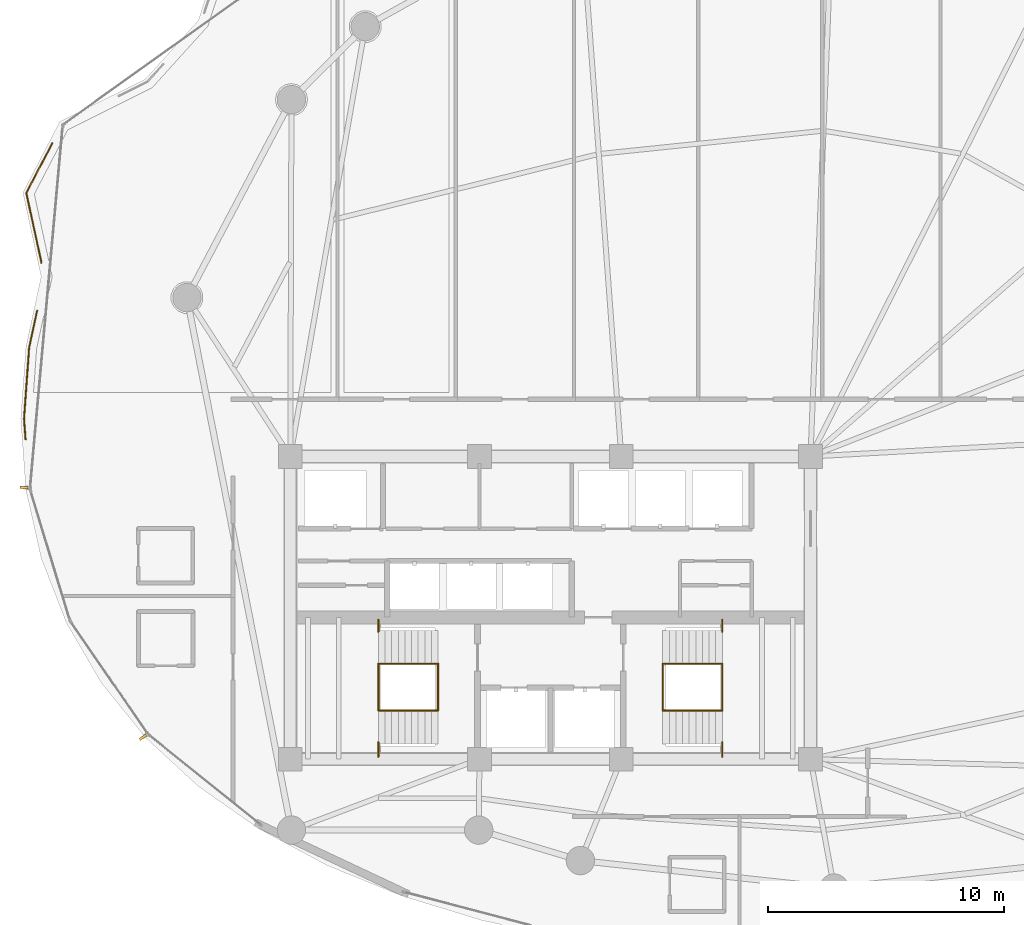
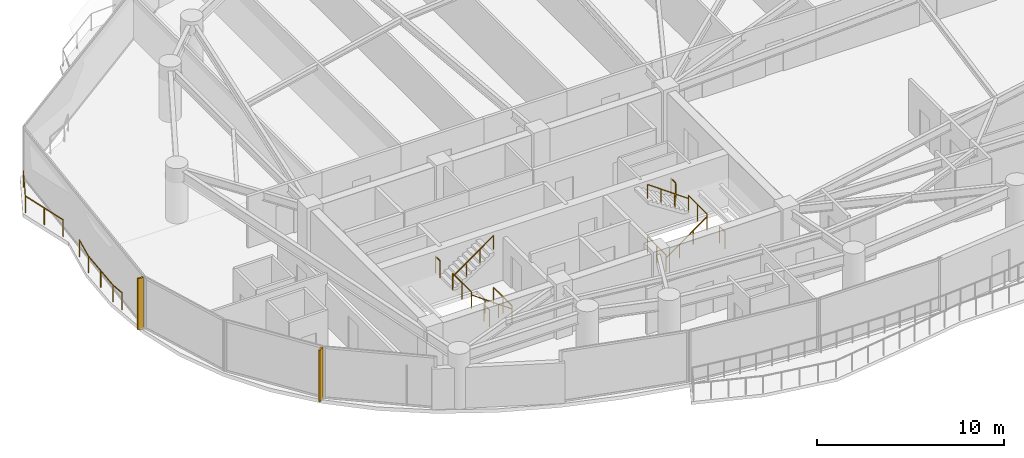
# One storey, part 31 of 33: 14 railings, 2 shading devices.
"""IFC4 building model written with IfcOpenShell, lengths in metres."""

from ifc_helpers import new_model, si_unit, direction, frame, origin, origin_2d, place, context, subcontext, project, spatial, rectangle, extrude, material, type_object, element, save


model = new_model("IFC4")

# Units and contexts
model_context = context("Model", 3, precision=1e-05, world=origin(), true_north=direction((0.0, 1.0)))
body_context = subcontext(model_context, "Body", "Model", "MODEL_VIEW")
ifc_project = project(units=[si_unit("LENGTHUNIT", "METRE"), si_unit("AREAUNIT", "SQUARE_METRE"), si_unit("VOLUMEUNIT", "CUBIC_METRE"), si_unit("PLANEANGLEUNIT", "RADIAN"), si_unit("MASSUNIT", "GRAM", prefix="KILO")], contexts=[model_context])

# Site, building, storey
site_placement = place(None, origin())
site = spatial("IfcSite", under=ifc_project, at=site_placement, CompositionType="ELEMENT")
building_placement = place(site_placement, origin())
building = spatial("IfcBuilding", under=site, at=building_placement, Name="Kazevale Care Tower and Concert Hall", CompositionType="ELEMENT")
storey_placement = place(building_placement, frame((0.0, 0.0, 153.0)))
storey = spatial("IfcBuildingStorey", under=building, at=storey_placement, Name="L40", CompositionType="ELEMENT", Elevation=153.0)

# Railings
ifc_material_1 = material(Name="Anodised Bronze Aluminium and Laminated Glass", Category="aluminium")
railing_type_1 = type_object("IfcRailingType", Name="Balcony and Terrace Balustrade 1120", PredefinedType="BALUSTRADE", material=ifc_material_1)
railing_1_placement = place(storey_placement, frame((10.802978515625, 37.1298828125, 0.0)))
element("IfcRailing", 1, at=railing_1_placement, inside=storey, type_object=railing_type_1, Name="rail:L40:perim:1", PredefinedType="BALUSTRADE", context=body_context, shape_type="SweptSolid", body=[
    extrude(rectangle(XDim=0.048095703125, YDim=0.048095703125, at=origin_2d()), frame((0.0, 0.0, 1.09619140625), z_axis=(-0.072201637043, 0.9973900559, 0.0), x_axis=(-0.9973900559, -0.072201637043, 0.0)), (0.0, 0.0, 1.0), 0.872314453125),
    extrude(rectangle(XDim=0.048095703125, YDim=0.048095703125, at=origin_2d()), frame((-0.06298828125, 0.8701171875, 1.09619140625), z_axis=(0.071442989214, 0.997444684828, 0.0), x_axis=(-0.997444684828, 0.071442989214, 0.0)), (0.0, 0.0, 1.0), 3.0107421875),
    extrude(rectangle(XDim=0.048095703125, YDim=0.048095703125, at=origin_2d()), frame((0.152099609375, 3.873046875, 1.09619140625), z_axis=(0.211602003156, 0.977355918926, 0.0), x_axis=(-0.977355918926, 0.211602003156, 0.0)), (0.0, 0.0, 1.0), 1.59228515625),
    extrude(rectangle(XDim=0.0419921875, YDim=0.0419921875, at=origin_2d()), origin(), (0.0, 0.0, 1.0), 1.072021484375),
    extrude(rectangle(XDim=0.0419921875, YDim=0.0419921875, at=origin_2d()), frame((-0.06298828125, 0.8701171875, 0.0)), (0.0, 0.0, 1.0), 1.072021484375),
    extrude(rectangle(XDim=0.0419921875, YDim=0.0419921875, at=origin_2d()), frame((0.04443359375, 2.37158203125, 0.0)), (0.0, 0.0, 1.0), 1.072021484375),
    extrude(rectangle(XDim=0.0419921875, YDim=0.0419921875, at=origin_2d()), frame((0.152099609375, 3.873046875, 0.0)), (0.0, 0.0, 1.0), 1.072021484375),
    extrude(rectangle(XDim=0.0419921875, YDim=0.0419921875, at=origin_2d()), frame((0.489013671875, 5.42919921875, 0.0)), (0.0, 0.0, 1.0), 1.072021484375),
])
railing_2_placement = place(storey_placement, frame((11.47607421875, 44.60400390625, 0.0)))
element("IfcRailing", 2, at=railing_2_placement, inside=storey, type_object=railing_type_1, Name="rail:L40:perim:2", PredefinedType="BALUSTRADE", context=body_context, shape_type="SweptSolid", body=[
    extrude(rectangle(XDim=0.048095703125, YDim=0.048095703125, at=origin_2d()), frame((0.0, 0.0, 1.09619140625), z_axis=(-0.212577968592, 0.977144107729, 0.0), x_axis=(-0.977144107729, -0.212577968592, 0.0)), (0.0, 0.0, 1.0), 3.006591796875),
    extrude(rectangle(XDim=0.048095703125, YDim=0.048095703125, at=origin_2d()), frame((-0.63916015625, 2.93798828125, 1.09619140625), z_axis=(0.461674148764, 0.887049592956, 0.0), x_axis=(-0.887049592956, 0.461674148764, 0.0)), (0.0, 0.0, 1.0), 2.367431640625),
    extrude(rectangle(XDim=0.0419921875, YDim=0.0419921875, at=origin_2d()), origin(), (0.0, 0.0, 1.0), 1.072021484375),
    extrude(rectangle(XDim=0.0419921875, YDim=0.0419921875, at=origin_2d()), frame((-0.319580078125, 1.468994140625, 0.0)), (0.0, 0.0, 1.0), 1.072021484375),
    extrude(rectangle(XDim=0.0419921875, YDim=0.0419921875, at=origin_2d()), frame((-0.63916015625, 2.93798828125, 0.0)), (0.0, 0.0, 1.0), 1.072021484375),
    extrude(rectangle(XDim=0.0419921875, YDim=0.0419921875, at=origin_2d()), frame((0.453857421875, 5.0380859375, 0.0)), (0.0, 0.0, 1.0), 1.072021484375),
])
ifc_material_2 = material(Name="Stainless Steel 316", Category="steel")
railing_type_2 = type_object("IfcRailingType", Name="Stair Pitch Handrail 920", PredefinedType="HANDRAIL", material=ifc_material_2)
railing_3_placement = place(storey_placement, frame((28.25, 25.659912109375, 0.0)))
element("IfcRailing", 3, at=railing_3_placement, inside=storey, type_object=railing_type_2, Name="stair:L40:ST1:hr1", PredefinedType="HANDRAIL", context=body_context, shape_type="SweptSolid", body=[
    extrude(rectangle(XDim=0.048095703125, YDim=0.048095703125, at=origin_2d()), frame((0.0, 0.0, 0.89599609375), z_axis=(-0.813728144527, 0.0, 0.581245650998), x_axis=(0.0, -1.0, 0.0)), (0.0, 0.0, 1.0), 3.096923828125),
    extrude(rectangle(XDim=0.0419921875, YDim=0.0419921875, at=origin_2d()), origin(), (0.0, 0.0, 1.0), 0.871826171875),
    extrude(rectangle(XDim=0.0419921875, YDim=0.0419921875, at=origin_2d()), frame((-0.840087890625, 0.0, 0.60009765625)), (0.0, 0.0, 1.0), 0.871826171875),
    extrude(rectangle(XDim=0.0419921875, YDim=0.0419921875, at=origin_2d()), frame((-1.679931640625, 0.0, 1.199951171875)), (0.0, 0.0, 1.0), 0.871826171875),
    extrude(rectangle(XDim=0.0419921875, YDim=0.0419921875, at=origin_2d()), frame((-2.52001953125, 0.0, 1.800048828125)), (0.0, 0.0, 1.0), 0.871826171875),
])
for number, where, name in (
    (4, (25.72998046875, 27.639892578125, 1.800048828125), "stair:L40:ST1:hr2"),
    (5, (37.75, 25.659912109375, 0.0), "stair:L40:ST2:hr1"),
):
    element("IfcRailing", number, at=place(storey_placement, frame(where)), inside=storey, type_object=railing_type_2, Name=name, PredefinedType="HANDRAIL", context=body_context, shape_type="SweptSolid", body=[
        extrude(rectangle(XDim=0.048095703125, YDim=0.048095703125, at=origin_2d()), frame((0.0, 0.0, 0.89599609375), z_axis=(0.813728144527, 0.0, 0.581245650998), x_axis=(0.0, 1.0, 0.0)), (0.0, 0.0, 1.0), 3.096923828125),
        extrude(rectangle(XDim=0.0419921875, YDim=0.0419921875, at=origin_2d()), origin(), (0.0, 0.0, 1.0), 0.871826171875),
        extrude(rectangle(XDim=0.0419921875, YDim=0.0419921875, at=origin_2d()), frame((0.840087890625, 0.0, 0.60009765625)), (0.0, 0.0, 1.0), 0.871826171875),
        extrude(rectangle(XDim=0.0419921875, YDim=0.0419921875, at=origin_2d()), frame((1.679931640625, 0.0, 1.199951171875)), (0.0, 0.0, 1.0), 0.871826171875),
        extrude(rectangle(XDim=0.0419921875, YDim=0.0419921875, at=origin_2d()), frame((2.52001953125, 0.0, 1.800048828125)), (0.0, 0.0, 1.0), 0.871826171875),
    ])
railing_4_placement = place(storey_placement, frame((40.27001953125, 27.639892578125, 1.800048828125)))
element("IfcRailing", 6, at=railing_4_placement, inside=storey, type_object=railing_type_2, Name="stair:L40:ST2:hr2", PredefinedType="HANDRAIL", context=body_context, shape_type="SweptSolid", body=[
    extrude(rectangle(XDim=0.048095703125, YDim=0.048095703125, at=origin_2d()), frame((0.0, 0.0, 0.89599609375), z_axis=(-0.813728144527, 0.0, 0.581245650998), x_axis=(0.0, -1.0, 0.0)), (0.0, 0.0, 1.0), 3.096923828125),
    extrude(rectangle(XDim=0.0419921875, YDim=0.0419921875, at=origin_2d()), origin(), (0.0, 0.0, 1.0), 0.871826171875),
    extrude(rectangle(XDim=0.0419921875, YDim=0.0419921875, at=origin_2d()), frame((-0.840087890625, 0.0, 0.60009765625)), (0.0, 0.0, 1.0), 0.871826171875),
    extrude(rectangle(XDim=0.0419921875, YDim=0.0419921875, at=origin_2d()), frame((-1.679931640625, 0.0, 1.199951171875)), (0.0, 0.0, 1.0), 0.871826171875),
    extrude(rectangle(XDim=0.0419921875, YDim=0.0419921875, at=origin_2d()), frame((-2.52001953125, 0.0, 1.800048828125)), (0.0, 0.0, 1.0), 0.871826171875),
])
railing_type_3 = type_object("IfcRailingType", Name="Stair Well Guard Balustrade 1120", PredefinedType="BALUSTRADE", material=ifc_material_2)
railing_5_placement = place(storey_placement, frame((25.72998046875, 23.699951171875, 1.800048828125)))
element("IfcRailing", 7, at=railing_5_placement, inside=storey, type_object=railing_type_3, Name="stair:L40:ST1:grd_side1", PredefinedType="BALUSTRADE", context=body_context, shape_type="SweptSolid", body=[
    extrude(rectangle(XDim=0.048095703125, YDim=0.048095703125, at=origin_2d()), frame((0.0, 0.0, 1.09619140625), z_axis=(0.0, 1.0, 0.0), x_axis=(-1.0, 0.0, 0.0)), (0.0, 0.0, 1.0), 0.610107421875),
    extrude(rectangle(XDim=0.0419921875, YDim=0.0419921875, at=origin_2d()), origin(), (0.0, 0.0, 1.0), 1.072021484375),
    extrude(rectangle(XDim=0.0419921875, YDim=0.0419921875, at=origin_2d()), frame((0.0, 0.610107421875, 0.0)), (0.0, 0.0, 1.0), 1.072021484375),
])
railing_6_placement = place(storey_placement, frame((25.72998046875, 28.989990234375, 1.800048828125)))
element("IfcRailing", 8, at=railing_6_placement, inside=storey, type_object=railing_type_3, Name="stair:L40:ST1:grd_side2", PredefinedType="BALUSTRADE", context=body_context, shape_type="SweptSolid", body=[
    extrude(rectangle(XDim=0.048095703125, YDim=0.048095703125, at=origin_2d()), frame((0.0, 0.0, 1.09619140625), z_axis=(0.0, 1.0, 0.0), x_axis=(-1.0, 0.0, 0.0)), (0.0, 0.0, 1.0), 0.510009765625),
    extrude(rectangle(XDim=0.0419921875, YDim=0.0419921875, at=origin_2d()), origin(), (0.0, 0.0, 1.0), 1.072021484375),
    extrude(rectangle(XDim=0.0419921875, YDim=0.0419921875, at=origin_2d()), frame((0.0, 0.510009765625, 0.0)), (0.0, 0.0, 1.0), 1.072021484375),
])
for number, where, name in (
    (9, (25.72998046875, 25.659912109375, 1.800048828125), "stair:L40:ST1:grd_mid"),
    (10, (28.25, 25.659912109375, 0.0), "stair:L40:ST1:grd_flr"),
):
    element("IfcRailing", number, at=place(storey_placement, frame(where)), inside=storey, type_object=railing_type_3, Name=name, PredefinedType="BALUSTRADE", context=body_context, shape_type="SweptSolid", body=[
        extrude(rectangle(XDim=0.048095703125, YDim=0.048095703125, at=origin_2d()), frame((0.0, 0.0, 1.09619140625), z_axis=(0.0, 1.0, 0.0), x_axis=(-1.0, 0.0, 0.0)), (0.0, 0.0, 1.0), 1.97998046875),
        extrude(rectangle(XDim=0.0419921875, YDim=0.0419921875, at=origin_2d()), origin(), (0.0, 0.0, 1.0), 1.072021484375),
        extrude(rectangle(XDim=0.0419921875, YDim=0.0419921875, at=origin_2d()), frame((0.0, 0.989990234375, 0.0)), (0.0, 0.0, 1.0), 1.072021484375),
        extrude(rectangle(XDim=0.0419921875, YDim=0.0419921875, at=origin_2d()), frame((0.0, 1.97998046875, 0.0)), (0.0, 0.0, 1.0), 1.072021484375),
    ])
railing_7_placement = place(storey_placement, frame((40.27001953125, 23.699951171875, 1.800048828125)))
element("IfcRailing", 11, at=railing_7_placement, inside=storey, type_object=railing_type_3, Name="stair:L40:ST2:grd_side1", PredefinedType="BALUSTRADE", context=body_context, shape_type="SweptSolid", body=[
    extrude(rectangle(XDim=0.048095703125, YDim=0.048095703125, at=origin_2d()), frame((0.0, 0.0, 1.09619140625), z_axis=(0.0, 1.0, 0.0), x_axis=(-1.0, 0.0, 0.0)), (0.0, 0.0, 1.0), 0.610107421875),
    extrude(rectangle(XDim=0.0419921875, YDim=0.0419921875, at=origin_2d()), origin(), (0.0, 0.0, 1.0), 1.072021484375),
    extrude(rectangle(XDim=0.0419921875, YDim=0.0419921875, at=origin_2d()), frame((0.0, 0.610107421875, 0.0)), (0.0, 0.0, 1.0), 1.072021484375),
])
railing_8_placement = place(storey_placement, frame((40.27001953125, 28.989990234375, 1.800048828125)))
element("IfcRailing", 12, at=railing_8_placement, inside=storey, type_object=railing_type_3, Name="stair:L40:ST2:grd_side2", PredefinedType="BALUSTRADE", context=body_context, shape_type="SweptSolid", body=[
    extrude(rectangle(XDim=0.048095703125, YDim=0.048095703125, at=origin_2d()), frame((0.0, 0.0, 1.09619140625), z_axis=(0.0, 1.0, 0.0), x_axis=(-1.0, 0.0, 0.0)), (0.0, 0.0, 1.0), 0.510009765625),
    extrude(rectangle(XDim=0.0419921875, YDim=0.0419921875, at=origin_2d()), origin(), (0.0, 0.0, 1.0), 1.072021484375),
    extrude(rectangle(XDim=0.0419921875, YDim=0.0419921875, at=origin_2d()), frame((0.0, 0.510009765625, 0.0)), (0.0, 0.0, 1.0), 1.072021484375),
])
for number, where, name in (
    (13, (40.27001953125, 25.659912109375, 1.800048828125), "stair:L40:ST2:grd_mid"),
    (14, (37.75, 25.659912109375, 0.0), "stair:L40:ST2:grd_flr"),
):
    element("IfcRailing", number, at=place(storey_placement, frame(where)), inside=storey, type_object=railing_type_3, Name=name, PredefinedType="BALUSTRADE", context=body_context, shape_type="SweptSolid", body=[
        extrude(rectangle(XDim=0.048095703125, YDim=0.048095703125, at=origin_2d()), frame((0.0, 0.0, 1.09619140625), z_axis=(0.0, 1.0, 0.0), x_axis=(-1.0, 0.0, 0.0)), (0.0, 0.0, 1.0), 1.97998046875),
        extrude(rectangle(XDim=0.0419921875, YDim=0.0419921875, at=origin_2d()), origin(), (0.0, 0.0, 1.0), 1.072021484375),
        extrude(rectangle(XDim=0.0419921875, YDim=0.0419921875, at=origin_2d()), frame((0.0, 0.989990234375, 0.0)), (0.0, 0.0, 1.0), 1.072021484375),
        extrude(rectangle(XDim=0.0419921875, YDim=0.0419921875, at=origin_2d()), frame((0.0, 1.97998046875, 0.0)), (0.0, 0.0, 1.0), 1.072021484375),
    ])

# Shading devices
ifc_material_3 = material(Name="Anodised Bronze Aluminium", Category="aluminium")
shading_device_type = type_object("IfcShadingDeviceType", Name="Waist Anodised Bronze-Stone Fin FIN-02", PredefinedType="USERDEFINED", material=ifc_material_3)
for number, where, z_axis, x_axis, name in (
    (15, (15.7705078125, 24.525634765625, 0.0), (0.0, 0.0, 1.0), (-0.823334533242, -0.567556381667, 0.0), "cw:L40:f11:fin"),
    (16, (10.74365234375, 35.0869140625, 0.0), (0.0, 0.0, 1.0), (-0.995963111248, 0.089763472712, 0.0), "cw:L40:f13:fin"),
):
    element("IfcShadingDevice", number, at=place(storey_placement, frame(where, z_axis=z_axis, x_axis=x_axis)), inside=storey, type_object=shading_device_type, Name=name, ObjectType="FIN", PredefinedType="USERDEFINED", context=body_context, shape_type="SweptSolid", body=[
        extrude(rectangle(XDim=0.340087890625, YDim=0.10009765625, at=origin_2d()), origin(), (0.0, 0.0, 1.0), 3.360107421875),
    ])

save(model, "model.ifc")
